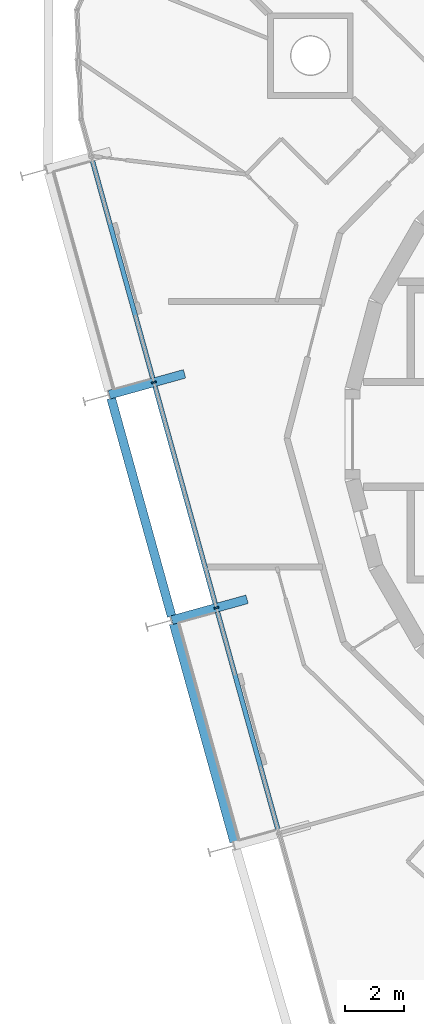
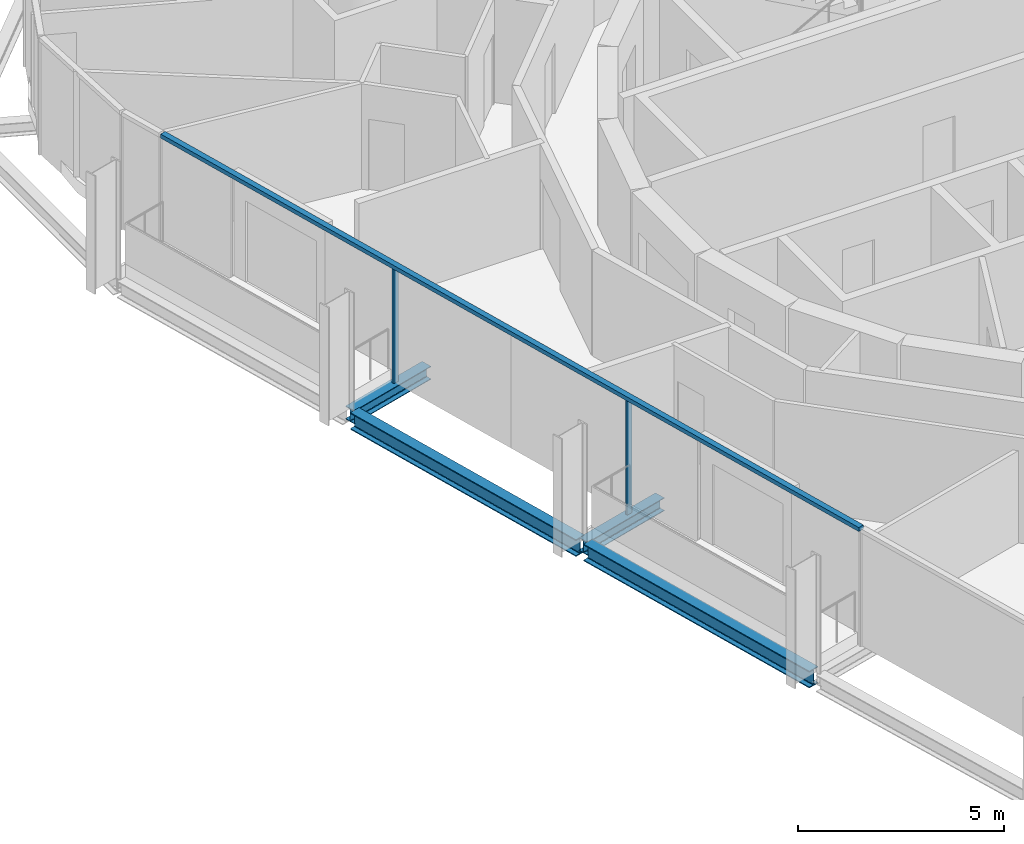
# One storey, part 3 of 15: 4 beams, 3 members, 1 element without a shape of its own.
"""IFC4 building model written with IfcOpenShell, lengths in metres."""

import ifcopenshell
import ifcopenshell.guid

model = None  # the IFC model being written
_history = None  # IfcOwnerHistory: only IFC2X3 demands one
_inside = {}  # id of a spatial element -> (the spatial element, [elements in it])
_under = {}  # id of a project, library or spatial element -> (it, [spatial elements below it])
_declared = {}  # id of a project -> (the project, [libraries it declares])
_typed = {}  # id of a type object -> (the type object, [elements of that type])
_made_of = {}  # id of a material, layer set ... -> (it, [elements and type objects made of it])


def new_model(schema):
    """Start an empty IFC model of exactly this schema.

    Asked for "IFC4X3", IfcOpenShell would pick the latest addendum, in which some entities
    have other attributes; the version numbers below select the first issue.
    IFC2X3 requires an IfcOwnerHistory on every rooted entity: one is made here for all.
    """
    global model, _history
    if schema == "IFC4X3":
        model = ifcopenshell.file(schema_version=(4, 3, 0, 0))
    else:
        model = ifcopenshell.file(schema=schema)
    _inside.clear()
    _under.clear()
    _declared.clear()
    _typed.clear()
    _made_of.clear()
    _history = None
    if model.schema == "IFC2X3":
        org = make("IfcOrganization", Name="unknown")
        user = make(
            "IfcPersonAndOrganization",
            ThePerson=make("IfcPerson", FamilyName="unknown"),
            TheOrganization=org,
        )
        app = make(
            "IfcApplication",
            ApplicationDeveloper=org,
            Version="unknown",
            ApplicationFullName="unknown",
            ApplicationIdentifier="unknown",
        )
        _history = make(
            "IfcOwnerHistory",
            OwningUser=user,
            OwningApplication=app,
            ChangeAction="ADDED",
            CreationDate=0,
        )
    return model


def make(cls, **values):
    """One entity of the class cls with the attributes given. An attribute that is None is left unset."""
    return model.create_entity(
        cls, **{name: value for name, value in values.items() if value is not None}
    )


def rooted(cls, **values):
    """An entity with a GlobalId (a new one), such as an element, a storey or a relation."""
    return make(cls, GlobalId=ifcopenshell.guid.new(), OwnerHistory=_history, **values)


def si_unit(unit_type, name, prefix=None):
    """IfcSIUnit, for example si_unit("LENGTHUNIT", "METRE", prefix="MILLI")."""
    return make("IfcSIUnit", UnitType=unit_type, Prefix=prefix, Name=name)


def assignment(units):
    """IfcUnitAssignment: the units of a project."""
    return None if units is None else make("IfcUnitAssignment", Units=units)


def point(xyz):
    """IfcCartesianPoint."""
    return None if xyz is None else make("IfcCartesianPoint", Coordinates=xyz)


def direction(xyz):
    """IfcDirection."""
    return None if xyz is None else make("IfcDirection", DirectionRatios=xyz)


def frame(location, z_axis=None, x_axis=None):
    """IfcAxis2Placement3D, a coordinate frame: its origin and axes. An axis left out is left unset."""
    return make(
        "IfcAxis2Placement3D",
        Location=point(location),
        Axis=direction(z_axis),
        RefDirection=direction(x_axis),
    )


def frame_2d(location, x_axis=None):
    """IfcAxis2Placement2D, a coordinate frame in the plane: its origin and x axis."""
    return make(
        "IfcAxis2Placement2D", Location=point(location), RefDirection=direction(x_axis)
    )


def origin():
    """The frame at (0, 0, 0) with its axes left unset."""
    return frame((0.0, 0.0, 0.0))


def origin_2d():
    """The frame at (0, 0) in the plane with its x axis left unset."""
    return frame_2d((0.0, 0.0))


def place(relative_to, where):
    """IfcLocalPlacement: puts the frame where relative to a parent placement (None: the world)."""
    return make(
        "IfcLocalPlacement", PlacementRelTo=relative_to, RelativePlacement=where
    )


def context(
    kind, dimensions, precision=None, world=None, true_north=None, identifier=None
):
    """IfcGeometricRepresentationContext, for example the 3D "Model" context."""
    return make(
        "IfcGeometricRepresentationContext",
        ContextIdentifier=identifier,
        ContextType=kind,
        CoordinateSpaceDimension=dimensions,
        Precision=precision,
        WorldCoordinateSystem=world,
        TrueNorth=true_north,
    )


def subcontext(parent, identifier, kind, view, scale=None):
    """IfcGeometricRepresentationSubContext, for example "Body" below "Model"."""
    return make(
        "IfcGeometricRepresentationSubContext",
        ContextIdentifier=identifier,
        ContextType=kind,
        ParentContext=parent,
        TargetScale=scale,
        TargetView=view,
    )


def project(units=None, contexts=None):
    """IfcProject with its units and contexts."""
    return rooted(
        "IfcProject",
        Name="project",
        RepresentationContexts=contexts,
        UnitsInContext=assignment(units),
    )


def spatial(cls, under=None, at=None, **own):
    """A site, building, storey or space (cls), placed at a placement, below another one or the project."""
    s = rooted(cls, ObjectPlacement=at, **own)
    if under is not None:
        _under.setdefault(under.id(), (under, []))[1].append(s)
    return s


def profile(cls, at=None, kind="AREA", **sizes):
    """A parametric profile (cls). Its sizes go by their IFC names, for example OverallWidth=200.0."""
    return make(cls, ProfileType=kind, Position=at, **sizes)


def rectangle(**sizes):
    """IfcRectangleProfileDef."""
    return profile("IfcRectangleProfileDef", **sizes)


def i_section(**sizes):
    """IfcIShapeProfileDef."""
    return profile("IfcIShapeProfileDef", **sizes)


def extrude(swept, where, along, depth):
    """IfcExtrudedAreaSolid: the profile swept, set in the frame where, extruded along a direction by depth."""
    return make(
        "IfcExtrudedAreaSolid",
        SweptArea=swept,
        Position=where,
        ExtrudedDirection=direction(along),
        Depth=depth,
    )


def shape(context_of_items, identifier, shape_type, items):
    """IfcShapeRepresentation: the items that make up one representation, for example the "Body"."""
    return make(
        "IfcShapeRepresentation",
        ContextOfItems=context_of_items,
        RepresentationIdentifier=identifier,
        RepresentationType=shape_type,
        Items=items,
    )


def material(Name=None, Category=None):
    """IfcMaterial."""
    return make("IfcMaterial", Name=Name, Category=Category)


def layer(
    of_material, thickness, ventilated=None, Name=None, Category=None, Priority=None
):
    """IfcMaterialLayer: one layer of a wall or slab, of a material (None: an air gap)."""
    return make(
        "IfcMaterialLayer",
        Material=of_material,
        LayerThickness=thickness,
        IsVentilated=ventilated,
        Name=Name,
        Category=Category,
        Priority=Priority,
    )


def layer_set(layers, Name=None):
    """IfcMaterialLayerSet."""
    return make("IfcMaterialLayerSet", MaterialLayers=layers, LayerSetName=Name)


def material_profile(
    of_material, cross_section, Name=None, Category=None, Priority=None
):
    """IfcMaterialProfile: a cross section and its material."""
    return make(
        "IfcMaterialProfile",
        Name=Name,
        Material=of_material,
        Profile=cross_section,
        Priority=Priority,
        Category=Category,
    )


def profile_set(profiles, Name=None, composite=None):
    """IfcMaterialProfileSet."""
    return make(
        "IfcMaterialProfileSet",
        Name=Name,
        MaterialProfiles=profiles,
        CompositeProfile=composite,
    )


def made_of(thing, what):
    """Note that an element or type object is made of a material, layer set ...; save() writes the relation."""
    if what is not None:
        _made_of.setdefault(what.id(), (what, []))[1].append(thing)
    return thing


def type_object(cls, material=None, **own):
    """A type object (cls), such as IfcWallType, which elements share."""
    return made_of(rooted(cls, **own), material)


def element(
    cls,
    number,
    at=None,
    inside=None,
    cuts=None,
    type_object=None,
    material=None,
    context=None,
    identifier="Body",
    shape_type=None,
    held_by="IfcProductDefinitionShape",
    body=None,
    shapes=None,
    **own,
):
    """One element of the class cls, such as IfcWall. Its Tag is "e" and its number.

    at: its placement. inside: the storey or other place that contains it. cuts: it is an
    opening in that element (IfcRelVoidsElement). A single representation is given by context,
    identifier, shape_type and body (its items); several are given by shapes. held_by: the class
    of the entity that holds the representations. save() writes the other relations.
    """
    e = rooted(cls, Tag="e%d" % number, ObjectPlacement=at, **own)
    if body is not None:
        shapes = [shape(context, identifier, shape_type, body)]
    if shapes is not None:
        e.Representation = make(held_by, Representations=shapes)
    if inside is not None:
        _inside.setdefault(inside.id(), (inside, []))[1].append(e)
    if cuts is not None:
        rooted(
            "IfcRelVoidsElement", RelatingBuildingElement=cuts, RelatedOpeningElement=e
        )
    if type_object is not None:
        _typed.setdefault(type_object.id(), (type_object, []))[1].append(e)
    return made_of(e, material)


def aggregate(whole, parts):
    """IfcRelAggregates: a whole, such as a stair, and the parts it consists of."""
    return rooted("IfcRelAggregates", RelatingObject=whole, RelatedObjects=parts)


def save(model, path):
    """Write the relations noted so far, then the file.

    IfcRelAggregates (storeys below a building ...), IfcRelContainedInSpatialStructure (elements
    in a storey), IfcRelDefinesByType, IfcRelAssociatesMaterial and IfcRelDeclares: one each for
    every whole, place, type object, material and project.
    """
    for whole, parts in _under.values():
        aggregate(whole, parts)
    for where, things in _inside.values():
        rooted(
            "IfcRelContainedInSpatialStructure",
            RelatedElements=things,
            RelatingStructure=where,
        )
    for kind, things in _typed.values():
        rooted("IfcRelDefinesByType", RelatedObjects=things, RelatingType=kind)
    for what, things in _made_of.values():
        rooted("IfcRelAssociatesMaterial", RelatedObjects=things, RelatingMaterial=what)
    for by, libraries in _declared.values():
        rooted("IfcRelDeclares", RelatingContext=by, RelatedDefinitions=libraries)
    model.write(path)


model = new_model("IFC4")

# Units and contexts
model_context = context("Model", 3, precision=1e-05, world=origin(), true_north=direction((0.0, 1.0)))
body_context = subcontext(model_context, "Body", "Model", "MODEL_VIEW")
ifc_project = project(units=[si_unit("LENGTHUNIT", "METRE"), si_unit("AREAUNIT", "SQUARE_METRE"), si_unit("VOLUMEUNIT", "CUBIC_METRE"), si_unit("PLANEANGLEUNIT", "RADIAN"), si_unit("MASSUNIT", "GRAM", prefix="KILO")], contexts=[model_context])

# Site, building, storey
site_placement = place(None, origin())
site = spatial("IfcSite", under=ifc_project, at=site_placement, CompositionType="ELEMENT")
building_placement = place(site_placement, origin())
building = spatial("IfcBuilding", under=site, at=building_placement, Name="Spindle Arch Residences", CompositionType="ELEMENT")
storey_placement = place(building_placement, frame((0.0, 0.0, 308.699951171875)))
storey = spatial("IfcBuildingStorey", under=building, at=storey_placement, Name="L79", CompositionType="ELEMENT", Elevation=308.699951171875)

# Curtain wall, members
ifc_material_1 = material(Name="Aluminium bronze unitised frame with tinted glass", Category="aluminium")
ifc_layer = layer(ifc_material_1, 0.159912109375)
ifc_layer_set = layer_set([ifc_layer], Name="CW-C typical residential unitised wall")
curtain_wall_type = type_object("IfcCurtainWallType", Name="CW-C typical residential unitised wall", PredefinedType="NOTDEFINED", material=ifc_layer_set)
curtain_wall_placement = place(storey_placement, origin())
curtain_wall = element("IfcCurtainWall", 1, at=curtain_wall_placement, inside=storey, type_object=curtain_wall_type, Name="CW-C L79 run 4", PredefinedType="NOTDEFINED")
ifc_material_2 = material(Name="Aluminium bronze anodised mullion", Category="aluminium")
ifc_material_profile_1 = material_profile(ifc_material_2, rectangle(XDim=0.159912109375, YDim=0.06005859375, at=origin_2d()), Name="MU 60x160")
ifc_profile_set_1 = profile_set([ifc_material_profile_1], Name="Aluminium bronze anodised mullion")
member_type_1 = type_object("IfcMemberType", Name="Bronze mullion 60x160", PredefinedType="MULLION", material=ifc_profile_set_1)
member_1_placement = place(storey_placement, frame((-18.384521484375, 1.763671875, -0.3798828125), z_axis=(0.0, 0.0, 1.0), x_axis=(0.963630453209, 0.267238376078, 0.0)))
member_1 = element("IfcMember", 2, at=member_1_placement, type_object=member_type_1, Name="CW-C mullion 12", PredefinedType="MULLION", context=body_context, shape_type="SweptSolid", body=[
    extrude(rectangle(XDim=0.159912109375, YDim=0.06005859375, at=origin_2d()), origin(), (0.0, 0.0, 1.0), 3.3798828125),
])
member_2_placement = place(storey_placement, frame((-16.263916015625, -5.8828125, -0.3798828125), z_axis=(0.0, 0.0, 1.0), x_axis=(0.963630453209, 0.267238376078, 0.0)))
member_2 = element("IfcMember", 3, at=member_2_placement, type_object=member_type_1, Name="CW-C mullion 13", PredefinedType="MULLION", context=body_context, shape_type="SweptSolid", body=[
    extrude(rectangle(XDim=0.159912109375, YDim=0.06005859375, at=origin_2d()), origin(), (0.0, 0.0, 1.0), 3.3798828125),
])
ifc_material_3 = material(Name="Aluminium bronze anodised transom", Category="aluminium")
ifc_material_profile_2 = material_profile(ifc_material_3, rectangle(XDim=0.159912109375, YDim=0.1201171875, at=origin_2d()), Name="TR 120x160")
ifc_profile_set_2 = profile_set([ifc_material_profile_2], Name="Aluminium bronze anodised transom")
member_type_2 = type_object("IfcMemberType", Name="Bronze transom 120x160", PredefinedType="USERDEFINED", material=ifc_profile_set_2)
member_3_placement = place(storey_placement, frame((-20.4970703125, 9.38134765625, 3.06005859375), z_axis=(0.267238704816, -0.963630362041, 0.0), x_axis=(0.963630362041, 0.267238704816, 0.0)))
member_3 = element("IfcMember", 4, at=member_3_placement, type_object=member_type_2, Name="CW-C transom 00", ObjectType="TRANSOM", PredefinedType="USERDEFINED", context=body_context, shape_type="SweptSolid", body=[
    extrude(rectangle(XDim=0.159912109375, YDim=0.1201171875, at=origin_2d()), origin(), (0.0, 0.0, 1.0), 23.745361328125),
])
aggregate(curtain_wall, [member_3, member_1, member_2])

# Beams
ifc_material_4 = material(Name="Steel S460ML, intumescent coating R 120", Category="steel")
ifc_material_profile_3 = material_profile(ifc_material_4, i_section(OverallWidth=0.300048828125, OverallDepth=0.5, WebThickness=0.014404296875, FlangeThickness=0.028076171875, FilletRadius=0.027099609375, at=origin_2d()), Name="HEB 500")
ifc_profile_set_3 = profile_set([ifc_material_profile_3], Name="Steel S460ML, intumescent coating R 120")
beam_type_1 = type_object("IfcBeamType", Name="Exoskeleton edge beam HEB 500", PredefinedType="BEAM", material=ifc_profile_set_3)
beam_1_placement = place(storey_placement, frame((-19.833740234375, 1.226806640625, -0.6298828125), z_axis=(0.26723040865, -0.963632662737, 0.0), x_axis=(0.963632662737, 0.26723040865, 0.0)))
element("IfcBeam", 5, at=beam_1_placement, inside=storey, type_object=beam_type_1, Name="Exoskeleton edge beam 13", PredefinedType="BEAM", context=body_context, shape_type="SweptSolid", body=[
    extrude(i_section(OverallWidth=0.300048828125, OverallDepth=0.5, WebThickness=0.014404296875, FlangeThickness=0.028076171875, FilletRadius=0.027099609375, at=origin_2d()), origin(), (0.0, 0.0, 1.0), 7.675048828125),
])
beam_2_placement = place(storey_placement, frame((-17.71337890625, -6.419677734375, -0.6298828125), z_axis=(0.267259946058, -0.963624471064, 0.0), x_axis=(0.963624471064, 0.267259946058, 0.0)))
element("IfcBeam", 6, at=beam_2_placement, inside=storey, type_object=beam_type_1, Name="Exoskeleton edge beam 14", PredefinedType="BEAM", context=body_context, shape_type="SweptSolid", body=[
    extrude(i_section(OverallWidth=0.300048828125, OverallDepth=0.5, WebThickness=0.014404296875, FlangeThickness=0.028076171875, FilletRadius=0.027099609375, at=origin_2d()), origin(), (0.0, 0.0, 1.0), 7.67529296875),
])
ifc_material_5 = material(Name="Steel S460ML, intumescent coating R 120", Category="steel")
ifc_material_profile_4 = material_profile(ifc_material_5, i_section(OverallWidth=0.300048828125, OverallDepth=0.389892578125, WebThickness=0.010986328125, FlangeThickness=0.01904296875, FilletRadius=0.027099609375, at=origin_2d()), Name="HEA 400")
ifc_profile_set_4 = profile_set([ifc_material_profile_4], Name="Steel S460ML, intumescent coating R 120")
beam_type_2 = type_object("IfcBeamType", Name="Floor outrigger HEA 400", PredefinedType="BEAM", material=ifc_profile_set_4)
for number, where, z_axis, x_axis, name in (
    (7, (-19.8974609375, 1.343994140625, -0.574951171875), (0.963626057771, 0.267254225009, 0.0), (-0.267254225009, 0.963626057771, 0.0), "Floor outrigger 13"),
    (8, (-17.777099609375, -6.302490234375, -0.574951171875), (0.963626057771, 0.267254225009, 0.0), (-0.267254225009, 0.963626057771, 0.0), "Floor outrigger 14"),
):
    element("IfcBeam", number, at=place(storey_placement, frame(where, z_axis=z_axis, x_axis=x_axis)), inside=storey, type_object=beam_type_2, Name=name, PredefinedType="BEAM", context=body_context, shape_type="SweptSolid", body=[
        extrude(i_section(OverallWidth=0.300048828125, OverallDepth=0.389892578125, WebThickness=0.010986328125, FlangeThickness=0.01904296875, FilletRadius=0.027099609375, at=origin_2d()), origin(), (0.0, 0.0, 1.0), 2.650146484375),
    ])

save(model, "model.ifc")
